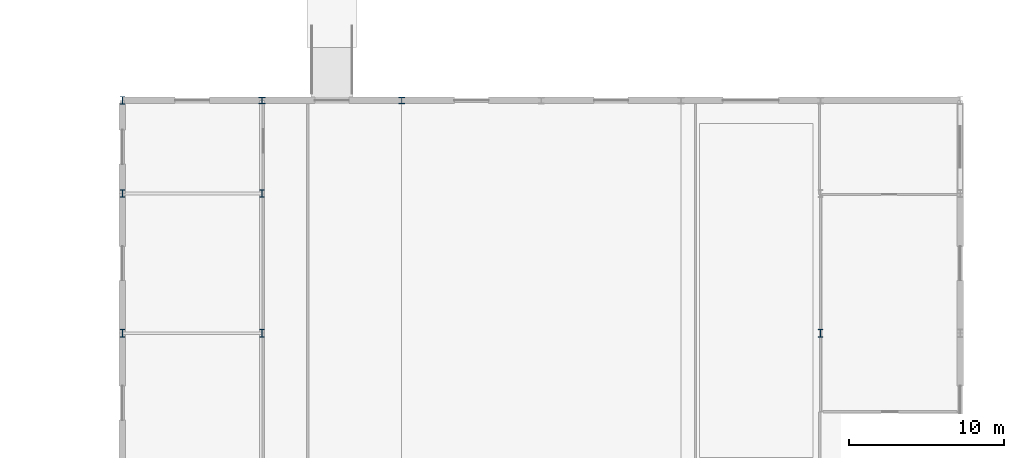
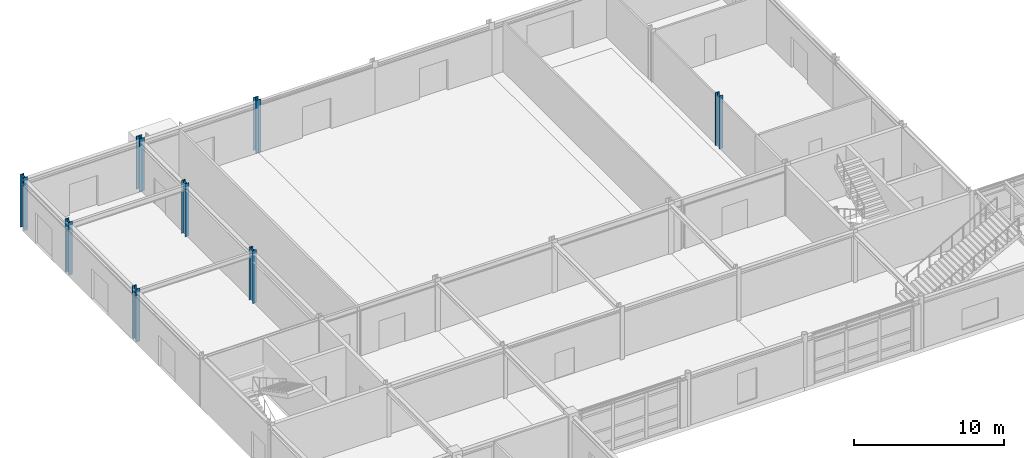
# One storey, part 10 of 72: 8 columns.
"""IFC4 building model written with IfcOpenShell, lengths in metres."""

import ifcopenshell
import ifcopenshell.guid

model = None  # the IFC model being written
_history = None  # IfcOwnerHistory: only IFC2X3 demands one
_inside = {}  # id of a spatial element -> (the spatial element, [elements in it])
_under = {}  # id of a project, library or spatial element -> (it, [spatial elements below it])
_declared = {}  # id of a project -> (the project, [libraries it declares])
_typed = {}  # id of a type object -> (the type object, [elements of that type])
_made_of = {}  # id of a material, layer set ... -> (it, [elements and type objects made of it])


def new_model(schema):
    """Start an empty IFC model of exactly this schema.

    Asked for "IFC4X3", IfcOpenShell would pick the latest addendum, in which some entities
    have other attributes; the version numbers below select the first issue.
    IFC2X3 requires an IfcOwnerHistory on every rooted entity: one is made here for all.
    """
    global model, _history
    if schema == "IFC4X3":
        model = ifcopenshell.file(schema_version=(4, 3, 0, 0))
    else:
        model = ifcopenshell.file(schema=schema)
    _inside.clear()
    _under.clear()
    _declared.clear()
    _typed.clear()
    _made_of.clear()
    _history = None
    if model.schema == "IFC2X3":
        org = make("IfcOrganization", Name="unknown")
        user = make(
            "IfcPersonAndOrganization",
            ThePerson=make("IfcPerson", FamilyName="unknown"),
            TheOrganization=org,
        )
        app = make(
            "IfcApplication",
            ApplicationDeveloper=org,
            Version="unknown",
            ApplicationFullName="unknown",
            ApplicationIdentifier="unknown",
        )
        _history = make(
            "IfcOwnerHistory",
            OwningUser=user,
            OwningApplication=app,
            ChangeAction="ADDED",
            CreationDate=0,
        )
    return model


def make(cls, **values):
    """One entity of the class cls with the attributes given. An attribute that is None is left unset."""
    return model.create_entity(
        cls, **{name: value for name, value in values.items() if value is not None}
    )


def rooted(cls, **values):
    """An entity with a GlobalId (a new one), such as an element, a storey or a relation."""
    return make(cls, GlobalId=ifcopenshell.guid.new(), OwnerHistory=_history, **values)


def si_unit(unit_type, name, prefix=None):
    """IfcSIUnit, for example si_unit("LENGTHUNIT", "METRE", prefix="MILLI")."""
    return make("IfcSIUnit", UnitType=unit_type, Prefix=prefix, Name=name)


def assignment(units):
    """IfcUnitAssignment: the units of a project."""
    return None if units is None else make("IfcUnitAssignment", Units=units)


def point(xyz):
    """IfcCartesianPoint."""
    return None if xyz is None else make("IfcCartesianPoint", Coordinates=xyz)


def direction(xyz):
    """IfcDirection."""
    return None if xyz is None else make("IfcDirection", DirectionRatios=xyz)


def frame(location, z_axis=None, x_axis=None):
    """IfcAxis2Placement3D, a coordinate frame: its origin and axes. An axis left out is left unset."""
    return make(
        "IfcAxis2Placement3D",
        Location=point(location),
        Axis=direction(z_axis),
        RefDirection=direction(x_axis),
    )


def frame_2d(location, x_axis=None):
    """IfcAxis2Placement2D, a coordinate frame in the plane: its origin and x axis."""
    return make(
        "IfcAxis2Placement2D", Location=point(location), RefDirection=direction(x_axis)
    )


def origin():
    """The frame at (0, 0, 0) with its axes left unset."""
    return frame((0.0, 0.0, 0.0))


def origin_2d():
    """The frame at (0, 0) in the plane with its x axis left unset."""
    return frame_2d((0.0, 0.0))


def place(relative_to, where):
    """IfcLocalPlacement: puts the frame where relative to a parent placement (None: the world)."""
    return make(
        "IfcLocalPlacement", PlacementRelTo=relative_to, RelativePlacement=where
    )


def context(
    kind, dimensions, precision=None, world=None, true_north=None, identifier=None
):
    """IfcGeometricRepresentationContext, for example the 3D "Model" context."""
    return make(
        "IfcGeometricRepresentationContext",
        ContextIdentifier=identifier,
        ContextType=kind,
        CoordinateSpaceDimension=dimensions,
        Precision=precision,
        WorldCoordinateSystem=world,
        TrueNorth=true_north,
    )


def subcontext(parent, identifier, kind, view, scale=None):
    """IfcGeometricRepresentationSubContext, for example "Body" below "Model"."""
    return make(
        "IfcGeometricRepresentationSubContext",
        ContextIdentifier=identifier,
        ContextType=kind,
        ParentContext=parent,
        TargetScale=scale,
        TargetView=view,
    )


def project(units=None, contexts=None):
    """IfcProject with its units and contexts."""
    return rooted(
        "IfcProject",
        Name="project",
        RepresentationContexts=contexts,
        UnitsInContext=assignment(units),
    )


def spatial(cls, under=None, at=None, **own):
    """A site, building, storey or space (cls), placed at a placement, below another one or the project."""
    s = rooted(cls, ObjectPlacement=at, **own)
    if under is not None:
        _under.setdefault(under.id(), (under, []))[1].append(s)
    return s


def profile(cls, at=None, kind="AREA", **sizes):
    """A parametric profile (cls). Its sizes go by their IFC names, for example OverallWidth=200.0."""
    return make(cls, ProfileType=kind, Position=at, **sizes)


def i_section(**sizes):
    """IfcIShapeProfileDef."""
    return profile("IfcIShapeProfileDef", **sizes)


def extrude(swept, where, along, depth):
    """IfcExtrudedAreaSolid: the profile swept, set in the frame where, extruded along a direction by depth."""
    return make(
        "IfcExtrudedAreaSolid",
        SweptArea=swept,
        Position=where,
        ExtrudedDirection=direction(along),
        Depth=depth,
    )


def shape(context_of_items, identifier, shape_type, items):
    """IfcShapeRepresentation: the items that make up one representation, for example the "Body"."""
    return make(
        "IfcShapeRepresentation",
        ContextOfItems=context_of_items,
        RepresentationIdentifier=identifier,
        RepresentationType=shape_type,
        Items=items,
    )


def material(Name=None, Category=None):
    """IfcMaterial."""
    return make("IfcMaterial", Name=Name, Category=Category)


def material_profile(
    of_material, cross_section, Name=None, Category=None, Priority=None
):
    """IfcMaterialProfile: a cross section and its material."""
    return make(
        "IfcMaterialProfile",
        Name=Name,
        Material=of_material,
        Profile=cross_section,
        Priority=Priority,
        Category=Category,
    )


def profile_set(profiles, Name=None, composite=None):
    """IfcMaterialProfileSet."""
    return make(
        "IfcMaterialProfileSet",
        Name=Name,
        MaterialProfiles=profiles,
        CompositeProfile=composite,
    )


def made_of(thing, what):
    """Note that an element or type object is made of a material, layer set ...; save() writes the relation."""
    if what is not None:
        _made_of.setdefault(what.id(), (what, []))[1].append(thing)
    return thing


def type_object(cls, material=None, **own):
    """A type object (cls), such as IfcWallType, which elements share."""
    return made_of(rooted(cls, **own), material)


def element(
    cls,
    number,
    at=None,
    inside=None,
    cuts=None,
    type_object=None,
    material=None,
    context=None,
    identifier="Body",
    shape_type=None,
    held_by="IfcProductDefinitionShape",
    body=None,
    shapes=None,
    **own,
):
    """One element of the class cls, such as IfcWall. Its Tag is "e" and its number.

    at: its placement. inside: the storey or other place that contains it. cuts: it is an
    opening in that element (IfcRelVoidsElement). A single representation is given by context,
    identifier, shape_type and body (its items); several are given by shapes. held_by: the class
    of the entity that holds the representations. save() writes the other relations.
    """
    e = rooted(cls, Tag="e%d" % number, ObjectPlacement=at, **own)
    if body is not None:
        shapes = [shape(context, identifier, shape_type, body)]
    if shapes is not None:
        e.Representation = make(held_by, Representations=shapes)
    if inside is not None:
        _inside.setdefault(inside.id(), (inside, []))[1].append(e)
    if cuts is not None:
        rooted(
            "IfcRelVoidsElement", RelatingBuildingElement=cuts, RelatedOpeningElement=e
        )
    if type_object is not None:
        _typed.setdefault(type_object.id(), (type_object, []))[1].append(e)
    return made_of(e, material)


def aggregate(whole, parts):
    """IfcRelAggregates: a whole, such as a stair, and the parts it consists of."""
    return rooted("IfcRelAggregates", RelatingObject=whole, RelatedObjects=parts)


def save(model, path):
    """Write the relations noted so far, then the file.

    IfcRelAggregates (storeys below a building ...), IfcRelContainedInSpatialStructure (elements
    in a storey), IfcRelDefinesByType, IfcRelAssociatesMaterial and IfcRelDeclares: one each for
    every whole, place, type object, material and project.
    """
    for whole, parts in _under.values():
        aggregate(whole, parts)
    for where, things in _inside.values():
        rooted(
            "IfcRelContainedInSpatialStructure",
            RelatedElements=things,
            RelatingStructure=where,
        )
    for kind, things in _typed.values():
        rooted("IfcRelDefinesByType", RelatedObjects=things, RelatingType=kind)
    for what, things in _made_of.values():
        rooted("IfcRelAssociatesMaterial", RelatedObjects=things, RelatingMaterial=what)
    for by, libraries in _declared.values():
        rooted("IfcRelDeclares", RelatingContext=by, RelatedDefinitions=libraries)
    model.write(path)


model = new_model("IFC4")

# Units and contexts
model_context = context("Model", 3, precision=1e-05, world=origin(), true_north=direction((0.0, 1.0)))
body_context = subcontext(model_context, "Body", "Model", "MODEL_VIEW")
ifc_project = project(units=[si_unit("LENGTHUNIT", "METRE"), si_unit("AREAUNIT", "SQUARE_METRE"), si_unit("VOLUMEUNIT", "CUBIC_METRE"), si_unit("PLANEANGLEUNIT", "RADIAN"), si_unit("MASSUNIT", "GRAM", prefix="KILO")], contexts=[model_context])

# Site, building, storey
site_placement = place(None, origin())
site = spatial("IfcSite", under=ifc_project, at=site_placement, CompositionType="ELEMENT")
building_placement = place(site_placement, origin())
building = spatial("IfcBuilding", under=site, at=building_placement, Name="Palais des Congres Ocreval", CompositionType="ELEMENT")
storey_placement = place(building_placement, origin())
storey = spatial("IfcBuildingStorey", under=building, at=storey_placement, Name="L00", CompositionType="ELEMENT", Elevation=0.0)

# Columns
ifc_material = material(Name="Steel S355", Category="steel")
ifc_material_profile_1 = material_profile(ifc_material, i_section(OverallWidth=0.406005859375, OverallDepth=0.416015625, WebThickness=0.0224609375, FlangeThickness=0.0380859375, at=origin_2d()), Name="HD 400x382")
ifc_profile_set_1 = profile_set([ifc_material_profile_1], Name="Steel S355")
column_type_1 = type_object("IfcColumnType", Name="Column HD 400x382 Steel S355", PredefinedType="COLUMN", material=ifc_profile_set_1)
for number, where, z_axis, x_axis, name in (
    (1, (9.0, 114.0, 0.0), (0.0, 0.0, 1.0), (1.0, 0.0, 0.0), "Column C03 L00"),
    (2, (18.0, 114.0, 0.0), (0.0, 0.0, 1.0), (1.0, 0.0, 0.0), "Column C03 L00"),
):
    element("IfcColumn", number, at=place(storey_placement, frame(where, z_axis=z_axis, x_axis=x_axis)), inside=storey, type_object=column_type_1, Name=name, PredefinedType="COLUMN", context=body_context, shape_type="SweptSolid", body=[
        extrude(i_section(OverallWidth=0.406005859375, OverallDepth=0.416015625, WebThickness=0.0224609375, FlangeThickness=0.0380859375, at=origin_2d()), origin(), (0.0, 0.0, 1.0), 4.320068359375),
    ])
ifc_material_profile_2 = material_profile(ifc_material, i_section(OverallWidth=0.300048828125, OverallDepth=0.5, WebThickness=0.014404296875, FlangeThickness=0.028076171875, at=origin_2d()), Name="HEB 500")
ifc_profile_set_2 = profile_set([ifc_material_profile_2], Name="Steel S355")
column_type_2 = type_object("IfcColumnType", Name="Column HEB 500 Steel S355", PredefinedType="COLUMN", material=ifc_profile_set_2)
for number, where, z_axis, x_axis, name in (
    (3, (0.0, 99.0, 0.0), (0.0, 0.0, 1.0), (1.0, 0.0, 0.0), "Column C08 L00"),
    (4, (0.0, 108.0, 0.0), (0.0, 0.0, 1.0), (1.0, 0.0, 0.0), "Column C08 L00"),
    (5, (0.0, 114.0, 0.0), (0.0, 0.0, 1.0), (1.0, 0.0, 0.0), "Column C08 L00"),
    (6, (9.0, 99.0, 0.0), (0.0, 0.0, 1.0), (1.0, 0.0, 0.0), "Column C08 L00"),
    (7, (9.0, 108.0, 0.0), (0.0, 0.0, 1.0), (1.0, 0.0, 0.0), "Column C08 L00"),
    (8, (45.0, 99.0, 0.0), (0.0, 0.0, 1.0), (1.0, 0.0, 0.0), "Column C08 L00"),
):
    element("IfcColumn", number, at=place(storey_placement, frame(where, z_axis=z_axis, x_axis=x_axis)), inside=storey, type_object=column_type_2, Name=name, PredefinedType="COLUMN", context=body_context, shape_type="SweptSolid", body=[
        extrude(i_section(OverallWidth=0.300048828125, OverallDepth=0.5, WebThickness=0.014404296875, FlangeThickness=0.028076171875, at=origin_2d()), origin(), (0.0, 0.0, 1.0), 4.320068359375),
    ])

save(model, "model.ifc")
